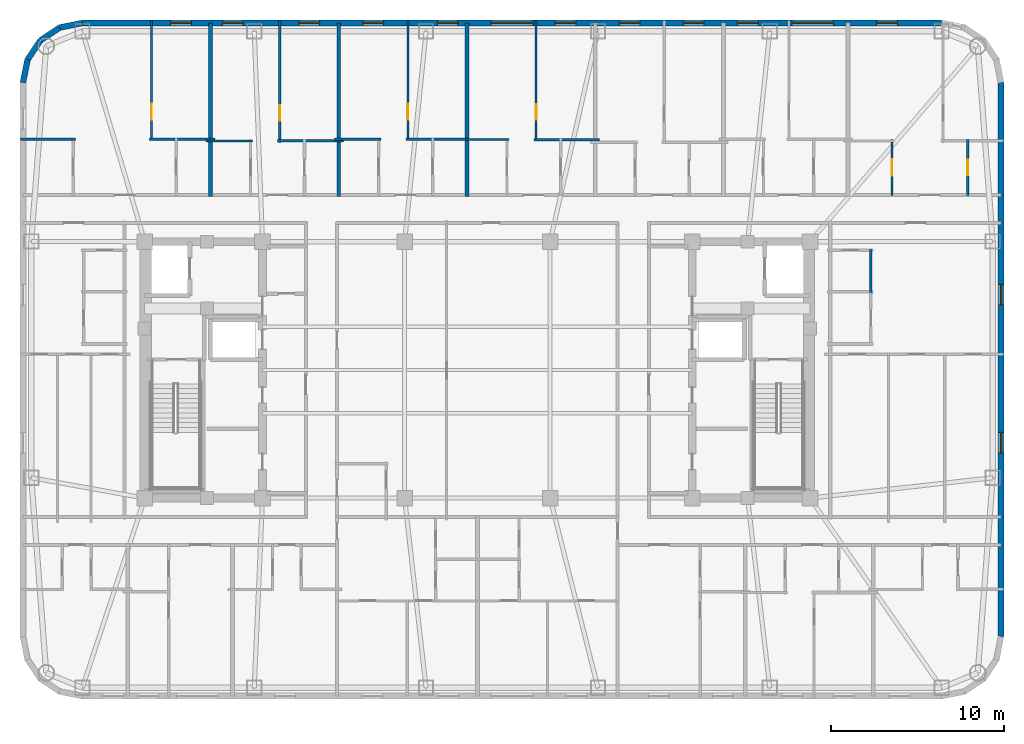
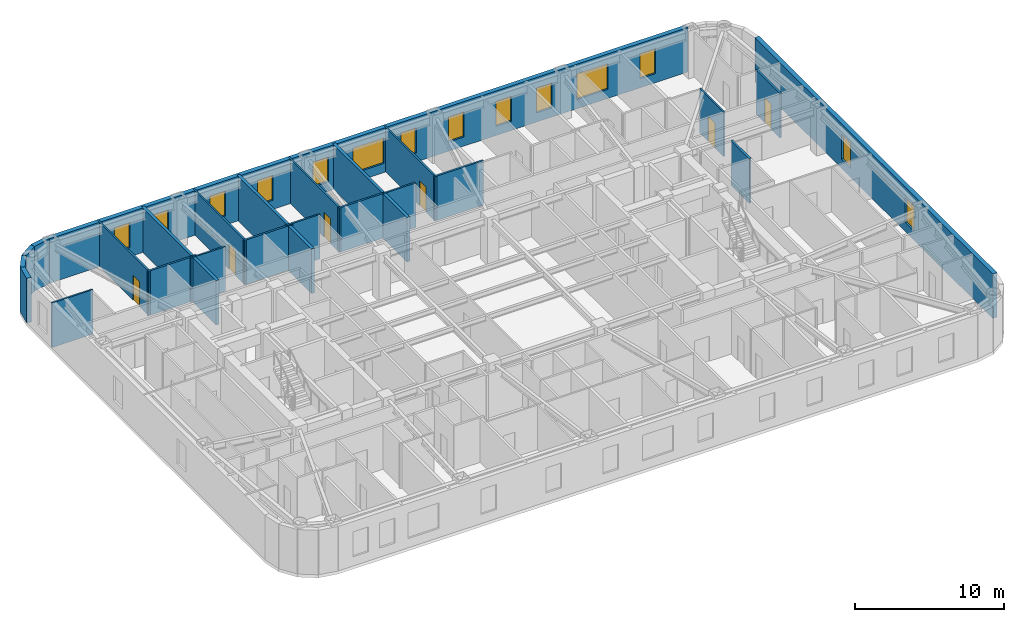
# One storey, part 8 of 11: 24 walls, 14 windows, 6 doors, 20 openings.
"""IFC4 building model written with IfcOpenShell, lengths in metres."""

from ifc_helpers import new_model, si_unit, direction, frame, frame_2d, origin, place, context, subcontext, project, spatial, rectangle, extrude, material, layer, layer_set, type_object, element, fill, save


model = new_model("IFC4")

# Units and contexts
model_context = context("Model", 3, precision=1e-05, world=origin(), true_north=direction((0.0, 1.0)))
body_context = subcontext(model_context, "Body", "Model", "MODEL_VIEW")
ifc_project = project(units=[si_unit("LENGTHUNIT", "METRE"), si_unit("AREAUNIT", "SQUARE_METRE"), si_unit("VOLUMEUNIT", "CUBIC_METRE"), si_unit("PLANEANGLEUNIT", "RADIAN"), si_unit("MASSUNIT", "GRAM", prefix="KILO")], contexts=[model_context])

# Site, building, storey
site_placement = place(None, origin())
site = spatial("IfcSite", under=ifc_project, at=site_placement, CompositionType="ELEMENT")
building_placement = place(site_placement, origin())
building = spatial("IfcBuilding", under=site, at=building_placement, Name="Voryun Gate Residences", CompositionType="ELEMENT")
storey_placement = place(building_placement, frame((0.0, 0.0, 235.300048828125)))
storey = spatial("IfcBuildingStorey", under=building, at=storey_placement, Name="L58", CompositionType="ELEMENT", Elevation=235.300048828125)

# Walls
ifc_material_1 = material(Name="Charcoal terracotta masonry", Category="masonry")
ifc_layer_1 = layer(ifc_material_1, 0.340087890625, Name="W_EXT_TERRACOTTA_340")
ifc_layer_set_1 = layer_set([ifc_layer_1], Name="Charcoal terracotta masonry")
wall_type_1 = type_object("IfcWallType", Name="W_EXT_TERRACOTTA_340", PredefinedType="ELEMENTEDWALL", material=ifc_layer_set_1)
wall_1_placement = place(storey_placement, frame((-26.22998046875, 16.583251953125, 0.0), z_axis=(0.0, 0.0, 1.0), x_axis=(0.195075878998, 0.980788153188, 0.0)))
element("IfcWall", 1, at=wall_1_placement, inside=storey, type_object=wall_type_1, Name="Exterior wall WEXT-L58-07", PredefinedType="ELEMENTEDWALL", context=body_context, shape_type="SweptSolid", body=[
    extrude(rectangle(XDim=1.354248046875, YDim=0.340087890625, at=frame_2d((0.67724609375, 0.0))), origin(), (0.0, 0.0, 1.0), 3.64990234375),
])
for number, where, z_axis, x_axis, name in (
    (2, (-25.9658203125, 17.911376953125, 0.0), (0.0, 0.0, 1.0), (0.555669034571, 0.831403586725, 0.0), "Exterior wall WEXT-L58-08"),
    (3, (-25.222900390625, 19.02294921875, 0.0), (0.0, 0.0, 1.0), (0.831403586725, 0.555669034571, 0.0), "Exterior wall WEXT-L58-09"),
):
    element("IfcWall", number, at=place(storey_placement, frame(where, z_axis=z_axis, x_axis=x_axis)), inside=storey, type_object=wall_type_1, Name=name, PredefinedType="ELEMENTEDWALL", context=body_context, shape_type="SweptSolid", body=[
        extrude(rectangle(XDim=1.3369140625, YDim=0.340087890625, at=frame_2d((0.66845703125, 0.0))), origin(), (0.0, 0.0, 1.0), 3.64990234375),
    ])
wall_2_placement = place(storey_placement, frame((-24.111328125, 19.765869140625, 0.0), z_axis=(0.0, 0.0, 1.0), x_axis=(0.980788153188, 0.195075878998, 0.0)))
element("IfcWall", 4, at=wall_2_placement, inside=storey, type_object=wall_type_1, Name="Exterior wall WEXT-L58-10", PredefinedType="ELEMENTEDWALL", context=body_context, shape_type="SweptSolid", body=[
    extrude(rectangle(XDim=1.354248046875, YDim=0.340087890625, at=frame_2d((0.67724609375, 0.0))), origin(), (0.0, 0.0, 1.0), 3.64990234375),
])

# Wall, openings, windows
wall_3_placement = place(storey_placement, frame((-22.783203125, 20.030029296875, 0.0), z_axis=(0.0, 0.0, 1.0), x_axis=(1.0, 0.0, 0.0)))
wall_3 = element("IfcWall", 5, at=wall_3_placement, inside=storey, type_object=wall_type_1, Name="Exterior wall WEXT-L58-11", PredefinedType="ELEMENTEDWALL", context=body_context, shape_type="SweptSolid", body=[
    extrude(rectangle(XDim=49.56640625, YDim=0.340087890625, at=frame_2d((24.783203125, 0.0))), origin(), (0.0, 0.0, 1.0), 3.64990234375),
])
opening_1_placement = place(wall_3_placement, frame((23.583251953125, 0.0, 0.75)))
opening_1 = element("IfcOpeningElement", 6, at=opening_1_placement, cuts=wall_3, Name="Opening WN2", PredefinedType="OPENING", context=body_context, shape_type="SweptSolid", body=[
    extrude(rectangle(XDim=2.39990234375, YDim=2.10009765625, at=frame_2d((1.199951171875, 1.050048828125))), frame((0.0, 0.179931640625, 0.0), z_axis=(0.0, -1.0, 0.0), x_axis=(1.0, 0.0, 0.0)), (0.0, 0.0, 1.0), 0.360107421875),
])
opening_2_placement = place(wall_3_placement, frame((40.95556640625, 0.0, 0.75)))
opening_2 = element("IfcOpeningElement", 7, at=opening_2_placement, cuts=wall_3, Name="Opening WN2", PredefinedType="OPENING", context=body_context, shape_type="SweptSolid", body=[
    extrude(rectangle(XDim=2.39990234375, YDim=2.10009765625, at=frame_2d((1.199951171875, 1.050048828125))), frame((0.0, 0.179931640625, 0.0), z_axis=(0.0, -1.0, 0.0), x_axis=(1.0, 0.0, 0.0)), (0.0, 0.0, 1.0), 0.360107421875),
])
opening_3_placement = place(wall_3_placement, frame((5.078369140625, 0.0, 0.75)))
opening_3 = element("IfcOpeningElement", 8, at=opening_3_placement, cuts=wall_3, Name="Opening WN6", PredefinedType="OPENING", context=body_context, shape_type="SweptSolid", body=[
    extrude(rectangle(XDim=1.199951171875, YDim=2.050048828125, at=frame_2d((0.60009765625, 1.02490234375))), frame((0.0, 0.179931640625, 0.0), z_axis=(0.0, -1.0, 0.0), x_axis=(1.0, 0.0, 0.0)), (0.0, 0.0, 1.0), 0.360107421875),
])
opening_4_placement = place(wall_3_placement, frame((8.058349609375, 0.0, 0.75)))
opening_4 = element("IfcOpeningElement", 9, at=opening_4_placement, cuts=wall_3, Name="Opening WN6", PredefinedType="OPENING", context=body_context, shape_type="SweptSolid", body=[
    extrude(rectangle(XDim=1.199951171875, YDim=2.050048828125, at=frame_2d((0.60009765625, 1.02490234375))), frame((0.0, 0.179931640625, 0.0), z_axis=(0.0, -1.0, 0.0), x_axis=(1.0, 0.0, 0.0)), (0.0, 0.0, 1.0), 0.360107421875),
])
opening_5_placement = place(wall_3_placement, frame((12.478271484375, 0.0, 0.75)))
opening_5 = element("IfcOpeningElement", 10, at=opening_5_placement, cuts=wall_3, Name="Opening WN6", PredefinedType="OPENING", context=body_context, shape_type="SweptSolid", body=[
    extrude(rectangle(XDim=1.199951171875, YDim=2.050048828125, at=frame_2d((0.60009765625, 1.02490234375))), frame((0.0, 0.179931640625, 0.0), z_axis=(0.0, -1.0, 0.0), x_axis=(1.0, 0.0, 0.0)), (0.0, 0.0, 1.0), 0.360107421875),
])
opening_6_placement = place(wall_3_placement, frame((16.17822265625, 0.0, 0.75)))
opening_6 = element("IfcOpeningElement", 11, at=opening_6_placement, cuts=wall_3, Name="Opening WN6", PredefinedType="OPENING", context=body_context, shape_type="SweptSolid", body=[
    extrude(rectangle(XDim=1.199951171875, YDim=2.050048828125, at=frame_2d((0.60009765625, 1.02490234375))), frame((0.0, 0.179931640625, 0.0), z_axis=(0.0, -1.0, 0.0), x_axis=(1.0, 0.0, 0.0)), (0.0, 0.0, 1.0), 0.360107421875),
])
opening_7_placement = place(wall_3_placement, frame((20.478271484375, 0.0, 0.75)))
opening_7 = element("IfcOpeningElement", 12, at=opening_7_placement, cuts=wall_3, Name="Opening WN6", PredefinedType="OPENING", context=body_context, shape_type="SweptSolid", body=[
    extrude(rectangle(XDim=1.199951171875, YDim=2.050048828125, at=frame_2d((0.60009765625, 1.02490234375))), frame((0.0, 0.179931640625, 0.0), z_axis=(0.0, -1.0, 0.0), x_axis=(1.0, 0.0, 0.0)), (0.0, 0.0, 1.0), 0.360107421875),
])
opening_8_placement = place(wall_3_placement, frame((27.2783203125, 0.0, 0.75)))
opening_8 = element("IfcOpeningElement", 13, at=opening_8_placement, cuts=wall_3, Name="Opening WN6", PredefinedType="OPENING", context=body_context, shape_type="SweptSolid", body=[
    extrude(rectangle(XDim=1.199951171875, YDim=2.050048828125, at=frame_2d((0.60009765625, 1.02490234375))), frame((0.0, 0.179931640625, 0.0), z_axis=(0.0, -1.0, 0.0), x_axis=(1.0, 0.0, 0.0)), (0.0, 0.0, 1.0), 0.360107421875),
])
opening_9_placement = place(wall_3_placement, frame((30.978271484375, 0.0, 0.75)))
opening_9 = element("IfcOpeningElement", 14, at=opening_9_placement, cuts=wall_3, Name="Opening WN6", PredefinedType="OPENING", context=body_context, shape_type="SweptSolid", body=[
    extrude(rectangle(XDim=1.199951171875, YDim=2.050048828125, at=frame_2d((0.60009765625, 1.02490234375))), frame((0.0, 0.179931640625, 0.0), z_axis=(0.0, -1.0, 0.0), x_axis=(1.0, 0.0, 0.0)), (0.0, 0.0, 1.0), 0.360107421875),
])
opening_10_placement = place(wall_3_placement, frame((34.67822265625, 0.0, 0.75)))
opening_10 = element("IfcOpeningElement", 15, at=opening_10_placement, cuts=wall_3, Name="Opening WN6", PredefinedType="OPENING", context=body_context, shape_type="SweptSolid", body=[
    extrude(rectangle(XDim=1.199951171875, YDim=2.050048828125, at=frame_2d((0.60009765625, 1.02490234375))), frame((0.0, 0.179931640625, 0.0), z_axis=(0.0, -1.0, 0.0), x_axis=(1.0, 0.0, 0.0)), (0.0, 0.0, 1.0), 0.360107421875),
])
opening_11_placement = place(wall_3_placement, frame((37.79833984375, 0.0, 0.75)))
opening_11 = element("IfcOpeningElement", 16, at=opening_11_placement, cuts=wall_3, Name="Opening WN6", PredefinedType="OPENING", context=body_context, shape_type="SweptSolid", body=[
    extrude(rectangle(XDim=1.199951171875, YDim=2.050048828125, at=frame_2d((0.60009765625, 1.02490234375))), frame((0.0, 0.179931640625, 0.0), z_axis=(0.0, -1.0, 0.0), x_axis=(1.0, 0.0, 0.0)), (0.0, 0.0, 1.0), 0.360107421875),
])
opening_12_placement = place(wall_3_placement, frame((45.830078125, 0.0, 0.75)))
opening_12 = element("IfcOpeningElement", 17, at=opening_12_placement, cuts=wall_3, Name="Opening WN6", PredefinedType="OPENING", context=body_context, shape_type="SweptSolid", body=[
    extrude(rectangle(XDim=1.199951171875, YDim=2.050048828125, at=frame_2d((0.60009765625, 1.02490234375))), frame((0.0, 0.179931640625, 0.0), z_axis=(0.0, -1.0, 0.0), x_axis=(1.0, 0.0, 0.0)), (0.0, 0.0, 1.0), 0.360107421875),
])
ifc_material_2 = material(Name="Laminated low-E glass", Category="glass")
window_type_1 = type_object("IfcWindowType", Name="WN_POD_SLOT_1200", PartitioningType="SINGLE_PANEL", PredefinedType="WINDOW", material=ifc_material_2)
window_1_placement = place(opening_3_placement, origin())
window_1 = element("IfcWindow", 18, at=window_1_placement, inside=storey, type_object=window_type_1, Name="Window WN-L58-DWFIX-02", OverallHeight=2.050048828125, OverallWidth=1.199951171875, PartitioningType="SINGLE_PANEL", PredefinedType="WINDOW", context=body_context, shape_type="SweptSolid", body=[
    extrude(rectangle(XDim=1.199951171875, YDim=2.050048828125, at=frame_2d((0.60009765625, 1.02490234375))), frame((0.0, 0.030029296875, 0.0), z_axis=(0.0, -1.0, 0.0), x_axis=(1.0, 0.0, 0.0)), (0.0, 0.0, 1.0), 0.06005859375),
])
fill(opening_3, window_1)
window_2_placement = place(opening_4_placement, origin())
window_2 = element("IfcWindow", 19, at=window_2_placement, inside=storey, type_object=window_type_1, Name="Window WN-L58-DWFIX-03", OverallHeight=2.050048828125, OverallWidth=1.199951171875, PartitioningType="SINGLE_PANEL", PredefinedType="WINDOW", context=body_context, shape_type="SweptSolid", body=[
    extrude(rectangle(XDim=1.199951171875, YDim=2.050048828125, at=frame_2d((0.60009765625, 1.02490234375))), frame((0.0, 0.030029296875, 0.0), z_axis=(0.0, -1.0, 0.0), x_axis=(1.0, 0.0, 0.0)), (0.0, 0.0, 1.0), 0.06005859375),
])
fill(opening_4, window_2)
window_3_placement = place(opening_5_placement, origin())
window_3 = element("IfcWindow", 20, at=window_3_placement, inside=storey, type_object=window_type_1, Name="Window WN-L58-DWFIX-04", OverallHeight=2.050048828125, OverallWidth=1.199951171875, PartitioningType="SINGLE_PANEL", PredefinedType="WINDOW", context=body_context, shape_type="SweptSolid", body=[
    extrude(rectangle(XDim=1.199951171875, YDim=2.050048828125, at=frame_2d((0.60009765625, 1.02490234375))), frame((0.0, 0.030029296875, 0.0), z_axis=(0.0, -1.0, 0.0), x_axis=(1.0, 0.0, 0.0)), (0.0, 0.0, 1.0), 0.06005859375),
])
fill(opening_5, window_3)
window_4_placement = place(opening_6_placement, origin())
window_4 = element("IfcWindow", 21, at=window_4_placement, inside=storey, type_object=window_type_1, Name="Window WN-L58-DWFIX-05", OverallHeight=2.050048828125, OverallWidth=1.199951171875, PartitioningType="SINGLE_PANEL", PredefinedType="WINDOW", context=body_context, shape_type="SweptSolid", body=[
    extrude(rectangle(XDim=1.199951171875, YDim=2.050048828125, at=frame_2d((0.60009765625, 1.02490234375))), frame((0.0, 0.030029296875, 0.0), z_axis=(0.0, -1.0, 0.0), x_axis=(1.0, 0.0, 0.0)), (0.0, 0.0, 1.0), 0.06005859375),
])
fill(opening_6, window_4)
window_5_placement = place(opening_7_placement, origin())
window_5 = element("IfcWindow", 22, at=window_5_placement, inside=storey, type_object=window_type_1, Name="Window WN-L58-DWFIX-06", OverallHeight=2.050048828125, OverallWidth=1.199951171875, PartitioningType="SINGLE_PANEL", PredefinedType="WINDOW", context=body_context, shape_type="SweptSolid", body=[
    extrude(rectangle(XDim=1.199951171875, YDim=2.050048828125, at=frame_2d((0.60009765625, 1.02490234375))), frame((0.0, 0.030029296875, 0.0), z_axis=(0.0, -1.0, 0.0), x_axis=(1.0, 0.0, 0.0)), (0.0, 0.0, 1.0), 0.06005859375),
])
fill(opening_7, window_5)
window_6_placement = place(opening_8_placement, origin())
window_6 = element("IfcWindow", 23, at=window_6_placement, inside=storey, type_object=window_type_1, Name="Window WN-L58-DWFIX-07", OverallHeight=2.050048828125, OverallWidth=1.199951171875, PartitioningType="SINGLE_PANEL", PredefinedType="WINDOW", context=body_context, shape_type="SweptSolid", body=[
    extrude(rectangle(XDim=1.199951171875, YDim=2.050048828125, at=frame_2d((0.60009765625, 1.02490234375))), frame((0.0, 0.030029296875, 0.0), z_axis=(0.0, -1.0, 0.0), x_axis=(1.0, 0.0, 0.0)), (0.0, 0.0, 1.0), 0.06005859375),
])
fill(opening_8, window_6)
window_7_placement = place(opening_9_placement, origin())
window_7 = element("IfcWindow", 24, at=window_7_placement, inside=storey, type_object=window_type_1, Name="Window WN-L58-DWFIX-08", OverallHeight=2.050048828125, OverallWidth=1.199951171875, PartitioningType="SINGLE_PANEL", PredefinedType="WINDOW", context=body_context, shape_type="SweptSolid", body=[
    extrude(rectangle(XDim=1.199951171875, YDim=2.050048828125, at=frame_2d((0.60009765625, 1.02490234375))), frame((0.0, 0.030029296875, 0.0), z_axis=(0.0, -1.0, 0.0), x_axis=(1.0, 0.0, 0.0)), (0.0, 0.0, 1.0), 0.06005859375),
])
fill(opening_9, window_7)
window_8_placement = place(opening_10_placement, origin())
window_8 = element("IfcWindow", 25, at=window_8_placement, inside=storey, type_object=window_type_1, Name="Window WN-L58-DWFIX-09", OverallHeight=2.050048828125, OverallWidth=1.199951171875, PartitioningType="SINGLE_PANEL", PredefinedType="WINDOW", context=body_context, shape_type="SweptSolid", body=[
    extrude(rectangle(XDim=1.199951171875, YDim=2.050048828125, at=frame_2d((0.60009765625, 1.02490234375))), frame((0.0, 0.030029296875, 0.0), z_axis=(0.0, -1.0, 0.0), x_axis=(1.0, 0.0, 0.0)), (0.0, 0.0, 1.0), 0.06005859375),
])
fill(opening_10, window_8)
window_9_placement = place(opening_11_placement, origin())
window_9 = element("IfcWindow", 26, at=window_9_placement, inside=storey, type_object=window_type_1, Name="Window WN-L58-DWFIX-10", OverallHeight=2.050048828125, OverallWidth=1.199951171875, PartitioningType="SINGLE_PANEL", PredefinedType="WINDOW", context=body_context, shape_type="SweptSolid", body=[
    extrude(rectangle(XDim=1.199951171875, YDim=2.050048828125, at=frame_2d((0.60009765625, 1.02490234375))), frame((0.0, 0.030029296875, 0.0), z_axis=(0.0, -1.0, 0.0), x_axis=(1.0, 0.0, 0.0)), (0.0, 0.0, 1.0), 0.06005859375),
])
fill(opening_11, window_9)
window_10_placement = place(opening_12_placement, origin())
window_10 = element("IfcWindow", 27, at=window_10_placement, inside=storey, type_object=window_type_1, Name="Window WN-L58-DWFIX-11", OverallHeight=2.050048828125, OverallWidth=1.199951171875, PartitioningType="SINGLE_PANEL", PredefinedType="WINDOW", context=body_context, shape_type="SweptSolid", body=[
    extrude(rectangle(XDim=1.199951171875, YDim=2.050048828125, at=frame_2d((0.60009765625, 1.02490234375))), frame((0.0, 0.030029296875, 0.0), z_axis=(0.0, -1.0, 0.0), x_axis=(1.0, 0.0, 0.0)), (0.0, 0.0, 1.0), 0.06005859375),
])
fill(opening_12, window_10)
ifc_material_3 = material(Name="Laminated low-E glass", Category="glass")
window_type_2 = type_object("IfcWindowType", Name="WN_RES_WIDE_2400", PartitioningType="SINGLE_PANEL", PredefinedType="WINDOW", material=ifc_material_3)
window_11_placement = place(opening_1_placement, origin())
window_11 = element("IfcWindow", 28, at=window_11_placement, inside=storey, type_object=window_type_2, Name="Window WN-WEXT-L58-11-02", OverallHeight=2.10009765625, OverallWidth=2.39990234375, PartitioningType="SINGLE_PANEL", PredefinedType="WINDOW", context=body_context, shape_type="SweptSolid", body=[
    extrude(rectangle(XDim=2.39990234375, YDim=2.10009765625, at=frame_2d((1.199951171875, 1.050048828125))), frame((0.0, 0.030029296875, 0.0), z_axis=(0.0, -1.0, 0.0), x_axis=(1.0, 0.0, 0.0)), (0.0, 0.0, 1.0), 0.06005859375),
])
fill(opening_1, window_11)
window_12_placement = place(opening_2_placement, origin())
window_12 = element("IfcWindow", 29, at=window_12_placement, inside=storey, type_object=window_type_2, Name="Window WN-WEXT-L58-11-03", OverallHeight=2.10009765625, OverallWidth=2.39990234375, PartitioningType="SINGLE_PANEL", PredefinedType="WINDOW", context=body_context, shape_type="SweptSolid", body=[
    extrude(rectangle(XDim=2.39990234375, YDim=2.10009765625, at=frame_2d((1.199951171875, 1.050048828125))), frame((0.0, 0.030029296875, 0.0), z_axis=(0.0, -1.0, 0.0), x_axis=(1.0, 0.0, 0.0)), (0.0, 0.0, 1.0), 0.06005859375),
])
fill(opening_2, window_12)

wall_4_placement = place(storey_placement, frame((30.22998046875, 16.583251953125, 0.0), z_axis=(0.0, 0.0, 1.0), x_axis=(0.0, -1.0, 0.0)))
wall_4 = element("IfcWall", 30, at=wall_4_placement, inside=storey, type_object=wall_type_1, Name="Exterior wall WEXT-L58-16", PredefinedType="ELEMENTEDWALL", context=body_context, shape_type="SweptSolid", body=[
    extrude(rectangle(XDim=31.966552734375, YDim=0.340087890625, at=frame_2d((15.9833984375, 0.0))), origin(), (0.0, 0.0, 1.0), 3.64990234375),
])
opening_13_placement = place(wall_4_placement, frame((11.63818359375, 0.0, 0.75)))
opening_13 = element("IfcOpeningElement", 31, at=opening_13_placement, cuts=wall_4, Name="Opening WN6", PredefinedType="OPENING", context=body_context, shape_type="SweptSolid", body=[
    extrude(rectangle(XDim=1.199951171875, YDim=2.050048828125, at=frame_2d((0.60009765625, 1.02490234375))), frame((0.0, 0.179931640625, 0.0), z_axis=(0.0, -1.0, 0.0), x_axis=(1.0, 0.0, 0.0)), (0.0, 0.0, 1.0), 0.360107421875),
])
opening_14_placement = place(wall_4_placement, frame((20.188232421875, 0.0, 0.75)))
opening_14 = element("IfcOpeningElement", 32, at=opening_14_placement, cuts=wall_4, Name="Opening WN6", PredefinedType="OPENING", context=body_context, shape_type="SweptSolid", body=[
    extrude(rectangle(XDim=1.199951171875, YDim=2.050048828125, at=frame_2d((0.60009765625, 1.02490234375))), frame((0.0, 0.179931640625, 0.0), z_axis=(0.0, -1.0, 0.0), x_axis=(1.0, 0.0, 0.0)), (0.0, 0.0, 1.0), 0.360107421875),
])
window_13_placement = place(opening_13_placement, origin())
window_13 = element("IfcWindow", 33, at=window_13_placement, inside=storey, type_object=window_type_1, Name="Window WN-L58-DWFIX-26", OverallHeight=2.050048828125, OverallWidth=1.199951171875, PartitioningType="SINGLE_PANEL", PredefinedType="WINDOW", context=body_context, shape_type="SweptSolid", body=[
    extrude(rectangle(XDim=1.199951171875, YDim=2.050048828125, at=frame_2d((0.60009765625, 1.02490234375))), frame((0.0, 0.030029296875, 0.0), z_axis=(0.0, -1.0, 0.0), x_axis=(1.0, 0.0, 0.0)), (0.0, 0.0, 1.0), 0.06005859375),
])
fill(opening_13, window_13)
window_14_placement = place(opening_14_placement, origin())
window_14 = element("IfcWindow", 34, at=window_14_placement, inside=storey, type_object=window_type_1, Name="Window WN-L58-DWFIX-27", OverallHeight=2.050048828125, OverallWidth=1.199951171875, PartitioningType="SINGLE_PANEL", PredefinedType="WINDOW", context=body_context, shape_type="SweptSolid", body=[
    extrude(rectangle(XDim=1.199951171875, YDim=2.050048828125, at=frame_2d((0.60009765625, 1.02490234375))), frame((0.0, 0.030029296875, 0.0), z_axis=(0.0, -1.0, 0.0), x_axis=(1.0, 0.0, 0.0)), (0.0, 0.0, 1.0), 0.06005859375),
])
fill(opening_14, window_14)

# Walls
ifc_material_4 = material(Name="Concrete C40/50", Category="concrete")
ifc_layer_2 = layer(ifc_material_4, 0.219970703125, Name="W_PARTY_ACOUSTIC_220")
ifc_layer_set_2 = layer_set([ifc_layer_2], Name="Concrete C40/50")
wall_type_2 = type_object("IfcWallType", Name="W_PARTY_ACOUSTIC_220", PredefinedType="PARTITIONING", material=ifc_layer_set_2)
for number, where, z_axis, x_axis, name in (
    (35, (-15.39990234375, 10.02001953125, 0.0), (0.0, 0.0, 1.0), (0.0, 1.0, 0.0), "Partition wall WP-L58-NPTY-1"),
    (36, (-8.0, 10.02001953125, 0.0), (0.0, 0.0, 1.0), (0.0, 1.0, 0.0), "Partition wall WP-L58-NPTY-2"),
    (37, (-0.60009765625, 10.02001953125, 0.0), (0.0, 0.0, 1.0), (0.0, 1.0, 0.0), "Partition wall WP-L58-NPTY-3"),
):
    element("IfcWall", number, at=place(storey_placement, frame(where, z_axis=z_axis, x_axis=x_axis)), inside=storey, type_object=wall_type_2, Name=name, PredefinedType="PARTITIONING", context=body_context, shape_type="SweptSolid", body=[
        extrude(rectangle(XDim=10.010009765625, YDim=0.219970703125, at=frame_2d((5.0048828125, 0.0))), origin(), (0.0, 0.0, 1.0), 3.64990234375),
    ])

# Wall, opening, door
ifc_material_5 = material(Name="Gypsum acoustic partition")
ifc_layer_3 = layer(ifc_material_5, 0.125, Name="W_UNIT_PART_125")
ifc_layer_set_3 = layer_set([ifc_layer_3], Name="Gypsum acoustic partition")
wall_type_3 = type_object("IfcWallType", Name="W_UNIT_PART_125", PredefinedType="PARTITIONING", material=ifc_layer_set_3)
wall_5_placement = place(storey_placement, frame((-18.81005859375, 13.239990234375, 0.0), z_axis=(0.0, 0.0, 1.0), x_axis=(0.0, 1.0, 0.0)))
wall_5 = element("IfcWall", 38, at=wall_5_placement, inside=storey, type_object=wall_type_3, Name="Partition wall WP-L58-N1-OVR", PredefinedType="PARTITIONING", context=body_context, shape_type="SweptSolid", body=[
    extrude(rectangle(XDim=6.93994140625, YDim=0.125, at=frame_2d((3.469970703125, 0.0))), origin(), (0.0, 0.0, 1.0), 3.64990234375),
])
opening_15_placement = place(wall_5_placement, frame((1.215576171875, 0.0, 0.0)))
opening_15 = element("IfcOpeningElement", 39, at=opening_15_placement, cuts=wall_5, Name="Opening D-INT-2", PredefinedType="OPENING", context=body_context, shape_type="SweptSolid", body=[
    extrude(rectangle(XDim=0.89990234375, YDim=2.050048828125, at=frame_2d((0.449951171875, 1.02490234375))), frame((0.0, 0.072509765625, 0.0), z_axis=(0.0, -1.0, 0.0), x_axis=(1.0, 0.0, 0.0)), (0.0, 0.0, 1.0), 0.14501953125),
])
ifc_material_6 = material(Name="Architectural oak veneer")
door_type_1 = type_object("IfcDoorType", Name="DR_INT_BATH_900", OperationType="NOTDEFINED", PredefinedType="DOOR", material=ifc_material_6)
door_1_placement = place(opening_15_placement, origin())
door_1 = element("IfcDoor", 40, at=door_1_placement, inside=storey, type_object=door_type_1, Name="Door DR-L58-N1-DMB", OperationType="SINGLE_SWING_RIGHT", OverallHeight=2.050048828125, OverallWidth=0.89990234375, PredefinedType="DOOR", context=body_context, shape_type="SweptSolid", body=[
    extrude(rectangle(XDim=0.89990234375, YDim=2.050048828125, at=frame_2d((0.449951171875, 1.02490234375))), frame((0.0, 0.02490234375, 0.0), z_axis=(0.0, -1.0, 0.0), x_axis=(1.0, 0.0, 0.0)), (0.0, 0.0, 1.0), 0.050048828125),
])
fill(opening_15, door_1)

# Wall
wall_6_placement = place(storey_placement, frame((-26.3798828125, 13.320068359375, 0.0), z_axis=(0.0, 0.0, 1.0), x_axis=(1.0, 0.0, 0.0)))
element("IfcWall", 41, at=wall_6_placement, inside=storey, type_object=wall_type_3, Name="Partition wall WP-L58-N1-HZK", PredefinedType="PARTITIONING", context=body_context, shape_type="SweptSolid", body=[
    extrude(rectangle(XDim=3.1728515625, YDim=0.125, at=frame_2d((1.58642578125, 0.0))), origin(), (0.0, 0.0, 1.0), 3.64990234375),
])

# Wall, opening, door
wall_7_placement = place(storey_placement, frame((-11.409912109375, 13.138916015625, 0.0), z_axis=(0.0, 0.0, 1.0), x_axis=(0.0, 1.0, 0.0)))
wall_7 = element("IfcWall", 42, at=wall_7_placement, inside=storey, type_object=wall_type_3, Name="Partition wall WP-L58-N2-OVR", PredefinedType="PARTITIONING", context=body_context, shape_type="SweptSolid", body=[
    extrude(rectangle(XDim=7.041015625, YDim=0.125, at=frame_2d((3.5205078125, 0.0))), origin(), (0.0, 0.0, 1.0), 3.64990234375),
])
opening_16_placement = place(wall_7_placement, frame((1.23974609375, 0.0, 0.0)))
opening_16 = element("IfcOpeningElement", 43, at=opening_16_placement, cuts=wall_7, Name="Opening D-INT-2", PredefinedType="OPENING", context=body_context, shape_type="SweptSolid", body=[
    extrude(rectangle(XDim=0.89990234375, YDim=2.050048828125, at=frame_2d((0.449951171875, 1.02490234375))), frame((0.0, 0.072509765625, 0.0), z_axis=(0.0, -1.0, 0.0), x_axis=(1.0, 0.0, 0.0)), (0.0, 0.0, 1.0), 0.14501953125),
])
door_2_placement = place(opening_16_placement, origin())
door_2 = element("IfcDoor", 44, at=door_2_placement, inside=storey, type_object=door_type_1, Name="Door DR-L58-N2-DMB", OperationType="SINGLE_SWING_RIGHT", OverallHeight=2.050048828125, OverallWidth=0.89990234375, PredefinedType="DOOR", context=body_context, shape_type="SweptSolid", body=[
    extrude(rectangle(XDim=0.89990234375, YDim=2.050048828125, at=frame_2d((0.449951171875, 1.02490234375))), frame((0.0, 0.02490234375, 0.0), z_axis=(0.0, -1.0, 0.0), x_axis=(1.0, 0.0, 0.0)), (0.0, 0.0, 1.0), 0.050048828125),
])
fill(opening_16, door_2)

# Wall
wall_8_placement = place(storey_placement, frame((-15.659912109375, 13.218994140625, 0.0), z_axis=(0.0, 0.0, 1.0), x_axis=(1.0, 0.0, 0.0)))
element("IfcWall", 45, at=wall_8_placement, inside=storey, type_object=wall_type_3, Name="Partition wall WP-L58-N2-HZK", PredefinedType="PARTITIONING", context=body_context, shape_type="SweptSolid", body=[
    extrude(rectangle(XDim=2.68994140625, YDim=0.125, at=frame_2d((1.344970703125, 0.0))), origin(), (0.0, 0.0, 1.0), 3.64990234375),
])

# Wall, opening, door
wall_9_placement = place(storey_placement, frame((-4.010009765625, 13.239990234375, 0.0), z_axis=(0.0, 0.0, 1.0), x_axis=(0.0, 1.0, 0.0)))
wall_9 = element("IfcWall", 46, at=wall_9_placement, inside=storey, type_object=wall_type_3, Name="Partition wall WP-L58-N3-OVR", PredefinedType="PARTITIONING", context=body_context, shape_type="SweptSolid", body=[
    extrude(rectangle(XDim=6.93994140625, YDim=0.125, at=frame_2d((3.469970703125, 0.0))), origin(), (0.0, 0.0, 1.0), 3.64990234375),
])
opening_17_placement = place(wall_9_placement, frame((1.215576171875, 0.0, 0.0)))
opening_17 = element("IfcOpeningElement", 47, at=opening_17_placement, cuts=wall_9, Name="Opening D-INT-2", PredefinedType="OPENING", context=body_context, shape_type="SweptSolid", body=[
    extrude(rectangle(XDim=0.89990234375, YDim=2.050048828125, at=frame_2d((0.449951171875, 1.02490234375))), frame((0.0, 0.072509765625, 0.0), z_axis=(0.0, -1.0, 0.0), x_axis=(1.0, 0.0, 0.0)), (0.0, 0.0, 1.0), 0.14501953125),
])
door_3_placement = place(opening_17_placement, origin())
door_3 = element("IfcDoor", 48, at=door_3_placement, inside=storey, type_object=door_type_1, Name="Door DR-L58-N3-DMB", OperationType="SINGLE_SWING_RIGHT", OverallHeight=2.050048828125, OverallWidth=0.89990234375, PredefinedType="DOOR", context=body_context, shape_type="SweptSolid", body=[
    extrude(rectangle(XDim=0.89990234375, YDim=2.050048828125, at=frame_2d((0.449951171875, 1.02490234375))), frame((0.0, 0.02490234375, 0.0), z_axis=(0.0, -1.0, 0.0), x_axis=(1.0, 0.0, 0.0)), (0.0, 0.0, 1.0), 0.050048828125),
])
fill(opening_17, door_3)

# Wall
wall_10_placement = place(storey_placement, frame((-8.260009765625, 13.320068359375, 0.0), z_axis=(0.0, 0.0, 1.0), x_axis=(1.0, 0.0, 0.0)))
element("IfcWall", 49, at=wall_10_placement, inside=storey, type_object=wall_type_3, Name="Partition wall WP-L58-N3-HZK", PredefinedType="PARTITIONING", context=body_context, shape_type="SweptSolid", body=[
    extrude(rectangle(XDim=2.68994140625, YDim=0.125, at=frame_2d((1.344970703125, 0.0))), origin(), (0.0, 0.0, 1.0), 3.64990234375),
])

# Wall, opening, door
wall_11_placement = place(storey_placement, frame((3.389892578125, 13.212890625, 0.0), z_axis=(0.0, 0.0, 1.0), x_axis=(0.0, 1.0, 0.0)))
wall_11 = element("IfcWall", 50, at=wall_11_placement, inside=storey, type_object=wall_type_3, Name="Partition wall WP-L58-N4-OVR", PredefinedType="PARTITIONING", context=body_context, shape_type="SweptSolid", body=[
    extrude(rectangle(XDim=6.967041015625, YDim=0.125, at=frame_2d((3.4833984375, 0.0))), origin(), (0.0, 0.0, 1.0), 3.64990234375),
])
opening_18_placement = place(wall_11_placement, frame((1.22216796875, 0.0, 0.0)))
opening_18 = element("IfcOpeningElement", 51, at=opening_18_placement, cuts=wall_11, Name="Opening D-INT-2", PredefinedType="OPENING", context=body_context, shape_type="SweptSolid", body=[
    extrude(rectangle(XDim=0.89990234375, YDim=2.050048828125, at=frame_2d((0.449951171875, 1.02490234375))), frame((0.0, 0.072509765625, 0.0), z_axis=(0.0, -1.0, 0.0), x_axis=(1.0, 0.0, 0.0)), (0.0, 0.0, 1.0), 0.14501953125),
])
door_4_placement = place(opening_18_placement, origin())
door_4 = element("IfcDoor", 52, at=door_4_placement, inside=storey, type_object=door_type_1, Name="Door DR-L58-N4-DMB", OperationType="SINGLE_SWING_RIGHT", OverallHeight=2.050048828125, OverallWidth=0.89990234375, PredefinedType="DOOR", context=body_context, shape_type="SweptSolid", body=[
    extrude(rectangle(XDim=0.89990234375, YDim=2.050048828125, at=frame_2d((0.449951171875, 1.02490234375))), frame((0.0, 0.02490234375, 0.0), z_axis=(0.0, -1.0, 0.0), x_axis=(1.0, 0.0, 0.0)), (0.0, 0.0, 1.0), 0.050048828125),
])
fill(opening_18, door_4)

# Wall
wall_12_placement = place(storey_placement, frame((-0.675048828125, 13.29296875, 0.0), z_axis=(0.0, 0.0, 1.0), x_axis=(1.0, 0.0, 0.0)))
element("IfcWall", 53, at=wall_12_placement, inside=storey, type_object=wall_type_3, Name="Partition wall WP-L58-N4-HZK", PredefinedType="PARTITIONING", context=body_context, shape_type="SweptSolid", body=[
    extrude(rectangle(XDim=2.505126953125, YDim=0.125, at=frame_2d((1.25244140625, 0.0))), origin(), (0.0, 0.0, 1.0), 3.64990234375),
])

# Wall, opening, door
wall_13_placement = place(storey_placement, frame((23.93505859375, 10.080078125, 0.0), z_axis=(0.0, 0.0, 1.0), x_axis=(0.0, 1.0, 0.0)))
wall_13 = element("IfcWall", 54, at=wall_13_placement, inside=storey, type_object=wall_type_3, Name="Partition wall WP-L58-N7-IVK", PredefinedType="PARTITIONING", context=body_context, shape_type="SweptSolid", body=[
    extrude(rectangle(XDim=3.218994140625, YDim=0.125, at=frame_2d((1.609375, 0.0))), origin(), (0.0, 0.0, 1.0), 3.64990234375),
])
opening_19_placement = place(wall_13_placement, frame((1.134521484375, 0.0, 0.0)))
opening_19 = element("IfcOpeningElement", 55, at=opening_19_placement, cuts=wall_13, Name="Opening D-INT-1", PredefinedType="OPENING", context=body_context, shape_type="SweptSolid", body=[
    extrude(rectangle(XDim=0.949951171875, YDim=2.050048828125, at=frame_2d((0.47509765625, 1.02490234375))), frame((0.0, 0.072509765625, 0.0), z_axis=(0.0, -1.0, 0.0), x_axis=(1.0, 0.0, 0.0)), (0.0, 0.0, 1.0), 0.14501953125),
])
ifc_material_7 = material(Name="Architectural oak veneer")
door_type_2 = type_object("IfcDoorType", Name="DR_INT_ROOM_950", OperationType="NOTDEFINED", PredefinedType="DOOR", material=ifc_material_7)
door_5_placement = place(opening_19_placement, origin())
door_5 = element("IfcDoor", 56, at=door_5_placement, inside=storey, type_object=door_type_2, Name="Door DR-L58-N7-DK", OperationType="SINGLE_SWING_LEFT", OverallHeight=2.050048828125, OverallWidth=0.949951171875, PredefinedType="DOOR", context=body_context, shape_type="SweptSolid", body=[
    extrude(rectangle(XDim=0.949951171875, YDim=2.050048828125, at=frame_2d((0.47509765625, 1.02490234375))), frame((0.0, 0.02490234375, 0.0), z_axis=(0.0, -1.0, 0.0), x_axis=(1.0, 0.0, 0.0)), (0.0, 0.0, 1.0), 0.050048828125),
])
fill(opening_19, door_5)

# Walls
ifc_material_8 = material(Name="Gypsum moisture-resistant partition")
ifc_layer_4 = layer(ifc_material_8, 0.14990234375, Name="W_WET_PLUMB_150")
ifc_layer_set_4 = layer_set([ifc_layer_4], Name="Gypsum moisture-resistant partition")
wall_type_4 = type_object("IfcWallType", Name="W_WET_PLUMB_150", PredefinedType="PLUMBINGWALL", material=ifc_layer_set_4)
for number, where, z_axis, x_axis, name in (
    (57, (-18.929931640625, 13.320068359375, 0.0), (0.0, 0.0, 1.0), (1.0, 0.0, 0.0), "Partition wall WP-L58-N1-HZB"),
    (58, (-11.530029296875, 13.218994140625, 0.0), (0.0, 0.0, 1.0), (1.0, 0.0, 0.0), "Partition wall WP-L58-N2-HZB"),
):
    element("IfcWall", number, at=place(storey_placement, frame(where, z_axis=z_axis, x_axis=x_axis)), inside=storey, type_object=wall_type_4, Name=name, PredefinedType="PLUMBINGWALL", context=body_context, shape_type="SweptSolid", body=[
        extrude(rectangle(XDim=3.7900390625, YDim=0.14990234375, at=frame_2d((1.89501953125, 0.0))), origin(), (0.0, 0.0, 1.0), 3.64990234375),
    ])
wall_14_placement = place(storey_placement, frame((-4.1298828125, 13.320068359375, 0.0), z_axis=(0.0, 0.0, 1.0), x_axis=(1.0, 0.0, 0.0)))
element("IfcWall", 59, at=wall_14_placement, inside=storey, type_object=wall_type_4, Name="Partition wall WP-L58-N3-HZB", PredefinedType="PLUMBINGWALL", context=body_context, shape_type="SweptSolid", body=[
    extrude(rectangle(XDim=3.60498046875, YDim=0.14990234375, at=frame_2d((1.802490234375, 0.0))), origin(), (0.0, 0.0, 1.0), 3.64990234375),
])
wall_15_placement = place(storey_placement, frame((3.27001953125, 13.29296875, 0.0), z_axis=(0.0, 0.0, 1.0), x_axis=(1.0, 0.0, 0.0)))
element("IfcWall", 60, at=wall_15_placement, inside=storey, type_object=wall_type_4, Name="Partition wall WP-L58-N4-HZB", PredefinedType="PLUMBINGWALL", context=body_context, shape_type="SweptSolid", body=[
    extrude(rectangle(XDim=3.7900390625, YDim=0.14990234375, at=frame_2d((1.89501953125, 0.0))), origin(), (0.0, 0.0, 1.0), 3.64990234375),
])

# Wall, opening, door
wall_16_placement = place(storey_placement, frame((28.31689453125, 10.080078125, 0.0), z_axis=(0.0, 0.0, 1.0), x_axis=(0.0, 1.0, 0.0)))
wall_16 = element("IfcWall", 61, at=wall_16_placement, inside=storey, type_object=wall_type_4, Name="Partition wall WP-L58-N7-IVB", PredefinedType="PLUMBINGWALL", context=body_context, shape_type="SweptSolid", body=[
    extrude(rectangle(XDim=3.218994140625, YDim=0.14990234375, at=frame_2d((1.609375, 0.0))), origin(), (0.0, 0.0, 1.0), 3.64990234375),
])
opening_20_placement = place(wall_16_placement, frame((1.159423828125, 0.0, 0.0)))
opening_20 = element("IfcOpeningElement", 62, at=opening_20_placement, cuts=wall_16, Name="Opening D-INT-2", PredefinedType="OPENING", context=body_context, shape_type="SweptSolid", body=[
    extrude(rectangle(XDim=0.89990234375, YDim=2.050048828125, at=frame_2d((0.449951171875, 1.02490234375))), frame((0.0, 0.0849609375, 0.0), z_axis=(0.0, -1.0, 0.0), x_axis=(1.0, 0.0, 0.0)), (0.0, 0.0, 1.0), 0.169921875),
])
door_6_placement = place(opening_20_placement, origin())
door_6 = element("IfcDoor", 63, at=door_6_placement, inside=storey, type_object=door_type_1, Name="Door DR-L58-N7-DB", OperationType="SINGLE_SWING_RIGHT", OverallHeight=2.050048828125, OverallWidth=0.89990234375, PredefinedType="DOOR", context=body_context, shape_type="SweptSolid", body=[
    extrude(rectangle(XDim=0.89990234375, YDim=2.050048828125, at=frame_2d((0.449951171875, 1.02490234375))), frame((0.0, 0.02490234375, 0.0), z_axis=(0.0, -1.0, 0.0), x_axis=(1.0, 0.0, 0.0)), (0.0, 0.0, 1.0), 0.050048828125),
])
fill(opening_20, door_6)

# Wall
wall_17_placement = place(storey_placement, frame((22.719970703125, 4.47998046875, 0.0), z_axis=(0.0, 0.0, 1.0), x_axis=(0.0, 1.0, 0.0)))
element("IfcWall", 64, at=wall_17_placement, inside=storey, type_object=wall_type_4, Name="Partition wall WP-L58-E1-VTSK2", PredefinedType="PLUMBINGWALL", context=body_context, shape_type="SweptSolid", body=[
    extrude(rectangle(XDim=2.47998046875, YDim=0.14990234375, at=frame_2d((1.239990234375, 0.0))), origin(), (0.0, 0.0, 1.0), 3.64990234375),
])

save(model, "model.ifc")
